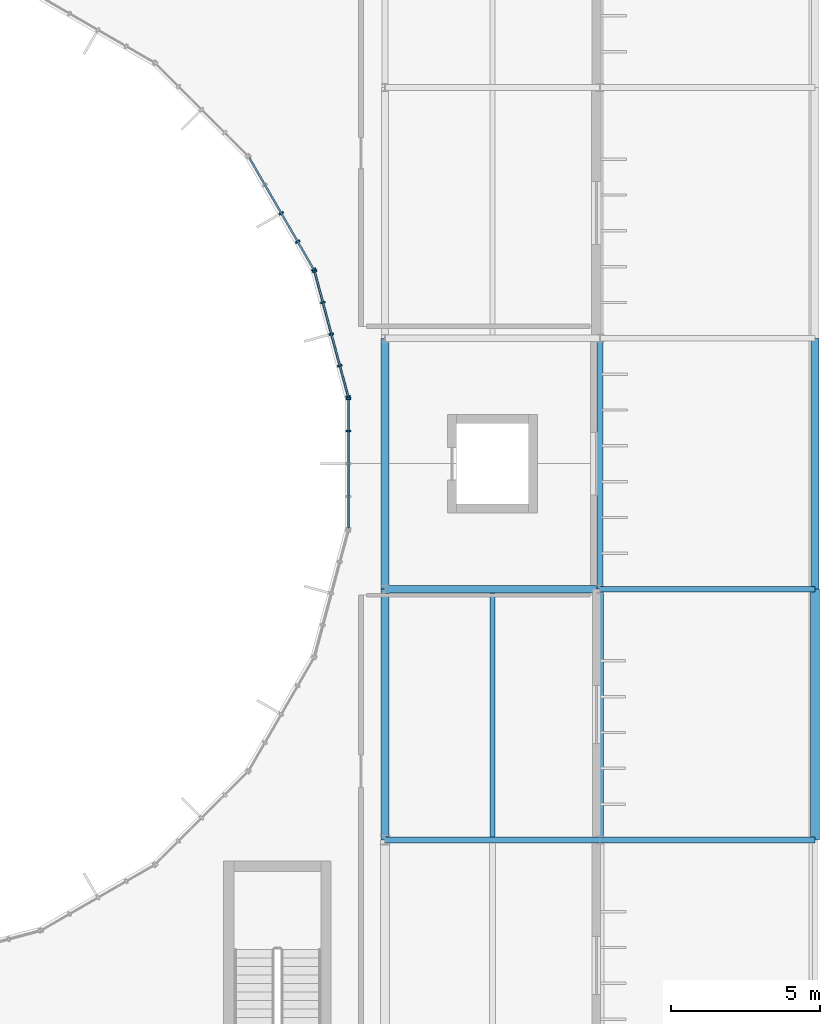
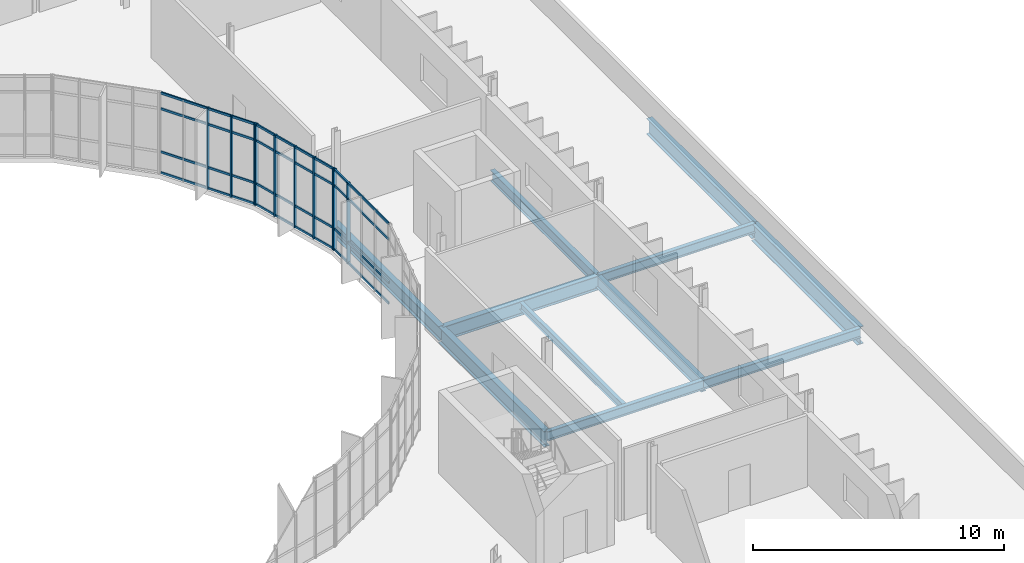
# One storey, part 54 of 99: 22 members, 11 beams, 3 elements without a shape of their own.
"""IFC4 building model written with IfcOpenShell, lengths in metres."""

from ifc_helpers import new_model, si_unit, direction, frame, origin, origin_2d, place, context, subcontext, project, spatial, rectangle, i_section, extrude, material, material_profile, profile_set, type_object, element, aggregate, save


model = new_model("IFC4")

# Units and contexts
model_context = context("Model", 3, precision=1e-05, world=origin(), true_north=direction((0.0, 1.0)))
body_context = subcontext(model_context, "Body", "Model", "MODEL_VIEW")
ifc_project = project(units=[si_unit("LENGTHUNIT", "METRE"), si_unit("AREAUNIT", "SQUARE_METRE"), si_unit("VOLUMEUNIT", "CUBIC_METRE"), si_unit("PLANEANGLEUNIT", "RADIAN"), si_unit("MASSUNIT", "GRAM", prefix="KILO")], contexts=[model_context])

# Site, building, storey
site_placement = place(None, origin())
site = spatial("IfcSite", under=ifc_project, at=site_placement, CompositionType="ELEMENT")
building_placement = place(site_placement, origin())
building = spatial("IfcBuilding", under=site, at=building_placement, Name="Qelthora Terrace Specialist Clinic", CompositionType="ELEMENT")
storey_placement = place(building_placement, frame((0.0, 0.0, 9.0)))
storey = spatial("IfcBuildingStorey", under=building, at=storey_placement, Name="L02", CompositionType="ELEMENT", Elevation=9.0)

# Beams
ifc_material_1 = material(Name="Steel S355", Category="steel")
ifc_material_profile_1 = material_profile(ifc_material_1, i_section(OverallWidth=0.19091796875, OverallDepth=0.4599609375, WebThickness=0.010009765625, FlangeThickness=0.01611328125, FilletRadius=0.012939453125, at=origin_2d()), Name="W460X82")
ifc_profile_set_1 = profile_set([ifc_material_profile_1], Name="Steel S355")
beam_type_1 = type_object("IfcBeamType", Name="BM-W460X82", PredefinedType="BEAM", material=ifc_profile_set_1)
beam_1_placement = place(storey_placement, frame((144.0, 50.39990234375, -0.47998046875), z_axis=(1.0, 0.0, 0.0), x_axis=(0.0, 1.0, 0.0)))
element("IfcBeam", 1, at=beam_1_placement, inside=storey, type_object=beam_type_1, Name="Girder BMX-L02-0629", PredefinedType="BEAM", context=body_context, shape_type="SweptSolid", body=[
    extrude(i_section(OverallWidth=0.19091796875, OverallDepth=0.4599609375, WebThickness=0.010009765625, FlangeThickness=0.01611328125, FilletRadius=0.012939453125, at=origin_2d()), origin(), (0.0, 0.0, 1.0), 7.199951171875),
])
ifc_material_profile_2 = material_profile(ifc_material_1, i_section(OverallWidth=0.2119140625, OverallDepth=0.5439453125, WebThickness=0.01318359375, FlangeThickness=0.021240234375, FilletRadius=0.013916015625, at=origin_2d()), Name="W530X123")
ifc_profile_set_2 = profile_set([ifc_material_profile_2], Name="Steel S355")
beam_type_2 = type_object("IfcBeamType", Name="BM-W530X123", PredefinedType="BEAM", material=ifc_profile_set_2)
beam_2_placement = place(storey_placement, frame((151.199951171875, 58.800048828125, -0.52197265625), z_axis=(0.0, 1.0, 0.0), x_axis=(-1.0, 0.0, 0.0)))
element("IfcBeam", 2, at=beam_2_placement, inside=storey, type_object=beam_type_2, Name="Girder BMY-L02-0905", PredefinedType="BEAM", context=body_context, shape_type="SweptSolid", body=[
    extrude(i_section(OverallWidth=0.2119140625, OverallDepth=0.5439453125, WebThickness=0.01318359375, FlangeThickness=0.021240234375, FilletRadius=0.013916015625, at=origin_2d()), origin(), (0.0, 0.0, 1.0), 8.39990234375),
])
ifc_material_profile_3 = material_profile(ifc_material_1, i_section(OverallWidth=0.22998046875, OverallDepth=0.616943359375, WebThickness=0.01318359375, FlangeThickness=0.022216796875, FilletRadius=0.01611328125, at=origin_2d()), Name="W610X140")
ifc_profile_set_3 = profile_set([ifc_material_profile_3], Name="Steel S355")
beam_type_3 = type_object("IfcBeamType", Name="BM-W610X140", PredefinedType="BEAM", material=ifc_profile_set_3)
beam_3_placement = place(storey_placement, frame((151.199951171875, 50.39990234375, -0.55859375), z_axis=(0.0, 1.0, 0.0), x_axis=(-1.0, 0.0, 0.0)))
element("IfcBeam", 3, at=beam_3_placement, inside=storey, type_object=beam_type_3, Name="Girder BMY-L02-0904", PredefinedType="BEAM", context=body_context, shape_type="SweptSolid", body=[
    extrude(i_section(OverallWidth=0.22998046875, OverallDepth=0.616943359375, WebThickness=0.01318359375, FlangeThickness=0.022216796875, FilletRadius=0.01611328125, at=origin_2d()), origin(), (0.0, 0.0, 1.0), 8.400146484375),
])
ifc_material_profile_4 = material_profile(ifc_material_1, i_section(OverallWidth=0.25390625, OverallDepth=0.68798828125, WebThickness=0.01318359375, FlangeThickness=0.02099609375, FilletRadius=0.01806640625, at=origin_2d()), Name="W690X152")
ifc_profile_set_4 = profile_set([ifc_material_profile_4], Name="Steel S355")
beam_type_4 = type_object("IfcBeamType", Name="BM-W690X152", PredefinedType="BEAM", material=ifc_profile_set_4)
beam_4_placement = place(storey_placement, frame((144.0, 58.800048828125, -0.593994140625), z_axis=(1.0, 0.0, 0.0), x_axis=(0.0, 1.0, 0.0)))
element("IfcBeam", 4, at=beam_4_placement, inside=storey, type_object=beam_type_4, Name="Girder BMX-L02-0646", PredefinedType="BEAM", context=body_context, shape_type="SweptSolid", body=[
    extrude(i_section(OverallWidth=0.25390625, OverallDepth=0.68798828125, WebThickness=0.01318359375, FlangeThickness=0.02099609375, FilletRadius=0.01806640625, at=origin_2d()), origin(), (0.0, 0.0, 1.0), 7.199951171875),
])
ifc_material_profile_5 = material_profile(ifc_material_1, i_section(OverallWidth=0.256103515625, OverallDepth=0.693115234375, WebThickness=0.014404296875, FlangeThickness=0.023681640625, FilletRadius=0.01806640625, at=origin_2d()), Name="W690X170")
ifc_profile_set_5 = profile_set([ifc_material_profile_5], Name="Steel S355")
beam_type_5 = type_object("IfcBeamType", Name="BM-W690X170", PredefinedType="BEAM", material=ifc_profile_set_5)
beam_5_placement = place(storey_placement, frame((144.0, 58.800048828125, -0.596435546875), z_axis=(0.0, 1.0, 0.0), x_axis=(-1.0, 0.0, 0.0)))
element("IfcBeam", 5, at=beam_5_placement, inside=storey, type_object=beam_type_5, Name="Girder BMY-L02-0893", PredefinedType="BEAM", context=body_context, shape_type="SweptSolid", body=[
    extrude(i_section(OverallWidth=0.256103515625, OverallDepth=0.693115234375, WebThickness=0.014404296875, FlangeThickness=0.023681640625, FilletRadius=0.01806640625, at=origin_2d()), origin(), (0.0, 0.0, 1.0), 8.39990234375),
])
ifc_material_profile_6 = material_profile(ifc_material_1, i_section(OverallWidth=0.26806640625, OverallDepth=0.77001953125, WebThickness=0.015625, FlangeThickness=0.025390625, FilletRadius=0.01904296875, at=origin_2d()), Name="W760X196")
ifc_profile_set_6 = profile_set([ifc_material_profile_6], Name="Steel S355")
beam_type_6 = type_object("IfcBeamType", Name="BM-W760X196", PredefinedType="BEAM", material=ifc_profile_set_6)
beam_6_placement = place(storey_placement, frame((144.0, 50.39990234375, -0.635009765625), z_axis=(0.0, 1.0, 0.0), x_axis=(-1.0, 0.0, 0.0)))
element("IfcBeam", 6, at=beam_6_placement, inside=storey, type_object=beam_type_6, Name="Girder BMY-L02-0892", PredefinedType="BEAM", context=body_context, shape_type="SweptSolid", body=[
    extrude(i_section(OverallWidth=0.26806640625, OverallDepth=0.77001953125, WebThickness=0.015625, FlangeThickness=0.025390625, FilletRadius=0.01904296875, at=origin_2d()), origin(), (0.0, 0.0, 1.0), 8.400146484375),
])
beam_7_placement = place(storey_placement, frame((158.39990234375, 58.800048828125, -0.635009765625), z_axis=(0.0, 1.0, 0.0), x_axis=(-1.0, 0.0, 0.0)))
element("IfcBeam", 7, at=beam_7_placement, inside=storey, type_object=beam_type_6, Name="Girder BMY-L02-0912", PredefinedType="BEAM", context=body_context, shape_type="SweptSolid", body=[
    extrude(i_section(OverallWidth=0.26806640625, OverallDepth=0.77001953125, WebThickness=0.015625, FlangeThickness=0.025390625, FilletRadius=0.01904296875, at=origin_2d()), origin(), (0.0, 0.0, 1.0), 8.39990234375),
])
ifc_material_profile_7 = material_profile(ifc_material_1, i_section(OverallWidth=0.2939453125, OverallDepth=0.85107421875, WebThickness=0.01611328125, FlangeThickness=0.02685546875, FilletRadius=0.02001953125, at=origin_2d()), Name="W840X226")
ifc_profile_set_7 = profile_set([ifc_material_profile_7], Name="Steel S355")
beam_type_7 = type_object("IfcBeamType", Name="BM-W840X226", PredefinedType="BEAM", material=ifc_profile_set_7)
beam_8_placement = place(storey_placement, frame((158.39990234375, 50.39990234375, -0.675537109375), z_axis=(0.0, 1.0, 0.0), x_axis=(-1.0, 0.0, 0.0)))
element("IfcBeam", 8, at=beam_8_placement, inside=storey, type_object=beam_type_7, Name="Girder BMY-L02-0911", PredefinedType="BEAM", context=body_context, shape_type="SweptSolid", body=[
    extrude(i_section(OverallWidth=0.2939453125, OverallDepth=0.85107421875, WebThickness=0.01611328125, FlangeThickness=0.02685546875, FilletRadius=0.02001953125, at=origin_2d()), origin(), (0.0, 0.0, 1.0), 8.400146484375),
])

# Curtain wall, members
ifc_material_2 = material(Name="Aluminium anodized bronze", Category="aluminium")
curtain_wall_type = type_object("IfcCurtainWallType", Name="CW-CRTE-UPP", PredefinedType="NOTDEFINED", material=ifc_material_2)
curtain_wall_1_placement = place(storey_placement, origin())
curtain_wall_1 = element("IfcCurtainWall", 9, at=curtain_wall_1_placement, inside=storey, type_object=curtain_wall_type, Name="Curtain wall CW-CE-L02-01", PredefinedType="NOTDEFINED")
ifc_material_profile_8 = material_profile(ifc_material_2, rectangle(XDim=0.06005859375, YDim=0.14990234375, at=origin_2d()), Name="CWM60X150")
ifc_profile_set_8 = profile_set([ifc_material_profile_8], Name="Aluminium anodized bronze")
member_type_1 = type_object("IfcMemberType", Name="CWM-60X150", PredefinedType="MULLION", material=ifc_profile_set_8)
member_1_placement = place(storey_placement, frame((142.76708984375, 65.2431640625, 0.0), z_axis=(0.0, 0.0, 1.0), x_axis=(-0.258819664824, 0.965925660235, 0.0)))
member_1 = element("IfcMember", 10, at=member_1_placement, type_object=member_type_1, Name="CW-CE-L02-01 mullion 1", PredefinedType="MULLION", context=body_context, shape_type="SweptSolid", body=[
    extrude(rectangle(XDim=0.06005859375, YDim=0.14990234375, at=origin_2d()), origin(), (0.0, 0.0, 1.0), 3.945068359375),
])
member_2_placement = place(storey_placement, frame((142.488525390625, 66.282958984375, 0.0), z_axis=(0.0, 0.0, 1.0), x_axis=(-0.258819664824, 0.965925660235, 0.0)))
member_2 = element("IfcMember", 11, at=member_2_placement, type_object=member_type_1, Name="CW-CE-L02-01 mullion 2", PredefinedType="MULLION", context=body_context, shape_type="SweptSolid", body=[
    extrude(rectangle(XDim=0.06005859375, YDim=0.14990234375, at=origin_2d()), origin(), (0.0, 0.0, 1.0), 3.945068359375),
])
member_3_placement = place(storey_placement, frame((142.20458984375, 67.342041015625, 0.0), z_axis=(0.0, 0.0, 1.0), x_axis=(-0.258819664824, 0.965925660235, 0.0)))
member_3 = element("IfcMember", 12, at=member_3_placement, type_object=member_type_1, Name="CW-CE-L02-01 mullion 3", PredefinedType="MULLION", context=body_context, shape_type="SweptSolid", body=[
    extrude(rectangle(XDim=0.06005859375, YDim=0.14990234375, at=origin_2d()), origin(), (0.0, 0.0, 1.0), 3.945068359375),
])
member_4_placement = place(storey_placement, frame((141.9208984375, 68.401123046875, 0.0), z_axis=(0.0, 0.0, 1.0), x_axis=(-0.258819664824, 0.965925660235, 0.0)))
member_4 = element("IfcMember", 13, at=member_4_placement, type_object=member_type_1, Name="CW-CE-L02-01 mullion 4", PredefinedType="MULLION", context=body_context, shape_type="SweptSolid", body=[
    extrude(rectangle(XDim=0.06005859375, YDim=0.14990234375, at=origin_2d()), origin(), (0.0, 0.0, 1.0), 3.945068359375),
])
member_5_placement = place(storey_placement, frame((141.642333984375, 69.44091796875, 0.0), z_axis=(0.0, 0.0, 1.0), x_axis=(-0.258819664824, 0.965925660235, 0.0)))
member_5 = element("IfcMember", 14, at=member_5_placement, type_object=member_type_1, Name="CW-CE-L02-01 mullion 5", PredefinedType="MULLION", context=body_context, shape_type="SweptSolid", body=[
    extrude(rectangle(XDim=0.06005859375, YDim=0.14990234375, at=origin_2d()), origin(), (0.0, 0.0, 1.0), 3.945068359375),
])

curtain_wall_2_placement = place(storey_placement, origin())
curtain_wall_2 = element("IfcCurtainWall", 15, at=curtain_wall_2_placement, inside=storey, type_object=curtain_wall_type, Name="Curtain wall CW-CE-L02-02", PredefinedType="NOTDEFINED")
member_6_placement = place(storey_placement, frame((141.614990234375, 69.50634765625, 0.0), z_axis=(0.0, 0.0, 1.0), x_axis=(-0.500000028915, 0.86602538709, 0.0)))
member_6 = element("IfcMember", 16, at=member_6_placement, type_object=member_type_1, Name="CW-CE-L02-02 mullion 1", PredefinedType="MULLION", context=body_context, shape_type="SweptSolid", body=[
    extrude(rectangle(XDim=0.06005859375, YDim=0.14990234375, at=origin_2d()), origin(), (0.0, 0.0, 1.0), 3.945068359375),
])
member_7_placement = place(storey_placement, frame((141.076904296875, 70.438720703125, 0.0), z_axis=(0.0, 0.0, 1.0), x_axis=(-0.500000028915, 0.86602538709, 0.0)))
member_7 = element("IfcMember", 17, at=member_7_placement, type_object=member_type_1, Name="CW-CE-L02-02 mullion 2", PredefinedType="MULLION", context=body_context, shape_type="SweptSolid", body=[
    extrude(rectangle(XDim=0.06005859375, YDim=0.14990234375, at=origin_2d()), origin(), (0.0, 0.0, 1.0), 3.945068359375),
])
member_8_placement = place(storey_placement, frame((140.528564453125, 71.38818359375, 0.0), z_axis=(0.0, 0.0, 1.0), x_axis=(-0.500000028915, 0.86602538709, 0.0)))
member_8 = element("IfcMember", 18, at=member_8_placement, type_object=member_type_1, Name="CW-CE-L02-02 mullion 3", PredefinedType="MULLION", context=body_context, shape_type="SweptSolid", body=[
    extrude(rectangle(XDim=0.06005859375, YDim=0.14990234375, at=origin_2d()), origin(), (0.0, 0.0, 1.0), 3.945068359375),
])

curtain_wall_3_placement = place(storey_placement, origin())
curtain_wall_3 = element("IfcCurtainWall", 19, at=curtain_wall_3_placement, inside=storey, type_object=curtain_wall_type, Name="Curtain wall CW-CE-L02-24", PredefinedType="NOTDEFINED")
member_9_placement = place(storey_placement, frame((142.7763671875, 64.096435546875, 0.0), z_axis=(0.0, 0.0, 1.0), x_axis=(0.0, 1.0, 0.0)))
member_9 = element("IfcMember", 20, at=member_9_placement, type_object=member_type_1, Name="CW-CE-L02-24 mullion 4", PredefinedType="MULLION", context=body_context, shape_type="SweptSolid", body=[
    extrude(rectangle(XDim=0.06005859375, YDim=0.14990234375, at=origin_2d()), origin(), (0.0, 0.0, 1.0), 3.945068359375),
])
member_10_placement = place(storey_placement, frame((142.7763671875, 65.1728515625, 0.0), z_axis=(0.0, 0.0, 1.0), x_axis=(0.0, 1.0, 0.0)))
member_10 = element("IfcMember", 21, at=member_10_placement, type_object=member_type_1, Name="CW-CE-L02-24 mullion 5", PredefinedType="MULLION", context=body_context, shape_type="SweptSolid", body=[
    extrude(rectangle(XDim=0.06005859375, YDim=0.14990234375, at=origin_2d()), origin(), (0.0, 0.0, 1.0), 3.945068359375),
])

# Member
ifc_material_profile_9 = material_profile(ifc_material_2, rectangle(XDim=0.06005859375, YDim=0.110107421875, at=origin_2d()), Name="CWT60X110")
ifc_profile_set_9 = profile_set([ifc_material_profile_9], Name="Aluminium anodized bronze")
member_type_2 = type_object("IfcMemberType", Name="CWT-60X110", PredefinedType="USERDEFINED", material=ifc_profile_set_9)
member_11_placement = place(storey_placement, frame((142.76171875, 65.262451171875, 0.0400390625), z_axis=(-0.25879182601, 0.965933119212, 0.0), x_axis=(-0.965933119212, -0.25879182601, 0.0)))
member_11 = element("IfcMember", 22, at=member_11_placement, type_object=member_type_2, Name="CW-CE-L02-01 transom 1", ObjectType="TRANSOM", PredefinedType="USERDEFINED", context=body_context, shape_type="SweptSolid", body=[
    extrude(rectangle(XDim=0.06005859375, YDim=0.110107421875, at=origin_2d()), origin(), (0.0, 0.0, 1.0), 4.3056640625),
])

member_12_placement = place(storey_placement, frame((142.76171875, 65.262451171875, 1.050048828125), z_axis=(-0.25879182601, 0.965933119212, 0.0), x_axis=(-0.965933119212, -0.25879182601, 0.0)))
member_12 = element("IfcMember", 23, at=member_12_placement, type_object=member_type_2, Name="CW-CE-L02-01 transom 2", ObjectType="TRANSOM", PredefinedType="USERDEFINED", context=body_context, shape_type="SweptSolid", body=[
    extrude(rectangle(XDim=0.06005859375, YDim=0.110107421875, at=origin_2d()), origin(), (0.0, 0.0, 1.0), 4.3056640625),
])

member_13_placement = place(storey_placement, frame((142.76171875, 65.262451171875, 3.14501953125), z_axis=(-0.25879182601, 0.965933119212, 0.0), x_axis=(-0.965933119212, -0.25879182601, 0.0)))
member_13 = element("IfcMember", 24, at=member_13_placement, type_object=member_type_2, Name="CW-CE-L02-01 transom 3", ObjectType="TRANSOM", PredefinedType="USERDEFINED", context=body_context, shape_type="SweptSolid", body=[
    extrude(rectangle(XDim=0.06005859375, YDim=0.110107421875, at=origin_2d()), origin(), (0.0, 0.0, 1.0), 4.3056640625),
])

member_14_placement = place(storey_placement, frame((142.76171875, 65.262451171875, 3.905029296875), z_axis=(-0.25879182601, 0.965933119212, 0.0), x_axis=(-0.965933119212, -0.25879182601, 0.0)))
member_14 = element("IfcMember", 25, at=member_14_placement, type_object=member_type_2, Name="CW-CE-L02-01 transom 4", ObjectType="TRANSOM", PredefinedType="USERDEFINED", context=body_context, shape_type="SweptSolid", body=[
    extrude(rectangle(XDim=0.06005859375, YDim=0.110107421875, at=origin_2d()), origin(), (0.0, 0.0, 1.0), 4.3056640625),
])

aggregate(curtain_wall_1, [member_1, member_2, member_3, member_4, member_5, member_11, member_12, member_13, member_14])

member_15_placement = place(storey_placement, frame((141.60498046875, 69.523681640625, 0.0400390625), z_axis=(-0.500005500391, 0.866022228109, 0.0), x_axis=(-0.866022228109, -0.500005500391, 0.0)))
member_15 = element("IfcMember", 26, at=member_15_placement, type_object=member_type_2, Name="CW-CE-L02-02 transom 1", ObjectType="TRANSOM", PredefinedType="USERDEFINED", context=body_context, shape_type="SweptSolid", body=[
    extrude(rectangle(XDim=0.06005859375, YDim=0.110107421875, at=origin_2d()), origin(), (0.0, 0.0, 1.0), 4.3056640625),
])

member_16_placement = place(storey_placement, frame((141.60498046875, 69.523681640625, 1.050048828125), z_axis=(-0.500005500391, 0.866022228109, 0.0), x_axis=(-0.866022228109, -0.500005500391, 0.0)))
member_16 = element("IfcMember", 27, at=member_16_placement, type_object=member_type_2, Name="CW-CE-L02-02 transom 2", ObjectType="TRANSOM", PredefinedType="USERDEFINED", context=body_context, shape_type="SweptSolid", body=[
    extrude(rectangle(XDim=0.06005859375, YDim=0.110107421875, at=origin_2d()), origin(), (0.0, 0.0, 1.0), 4.3056640625),
])

member_17_placement = place(storey_placement, frame((141.60498046875, 69.523681640625, 3.14501953125), z_axis=(-0.500005500391, 0.866022228109, 0.0), x_axis=(-0.866022228109, -0.500005500391, 0.0)))
member_17 = element("IfcMember", 28, at=member_17_placement, type_object=member_type_2, Name="CW-CE-L02-02 transom 3", ObjectType="TRANSOM", PredefinedType="USERDEFINED", context=body_context, shape_type="SweptSolid", body=[
    extrude(rectangle(XDim=0.06005859375, YDim=0.110107421875, at=origin_2d()), origin(), (0.0, 0.0, 1.0), 4.3056640625),
])

member_18_placement = place(storey_placement, frame((141.60498046875, 69.523681640625, 3.905029296875), z_axis=(-0.500005500391, 0.866022228109, 0.0), x_axis=(-0.866022228109, -0.500005500391, 0.0)))
member_18 = element("IfcMember", 29, at=member_18_placement, type_object=member_type_2, Name="CW-CE-L02-02 transom 4", ObjectType="TRANSOM", PredefinedType="USERDEFINED", context=body_context, shape_type="SweptSolid", body=[
    extrude(rectangle(XDim=0.06005859375, YDim=0.110107421875, at=origin_2d()), origin(), (0.0, 0.0, 1.0), 4.3056640625),
])

aggregate(curtain_wall_2, [member_6, member_7, member_8, member_15, member_16, member_17, member_18])

member_19_placement = place(storey_placement, frame((142.7763671875, 60.84716796875, 0.0400390625), z_axis=(0.0, 1.0, 0.0), x_axis=(-1.0, 0.0, 0.0)))
member_19 = element("IfcMember", 30, at=member_19_placement, type_object=member_type_2, Name="CW-CE-L02-24 transom 1", ObjectType="TRANSOM", PredefinedType="USERDEFINED", context=body_context, shape_type="SweptSolid", body=[
    extrude(rectangle(XDim=0.06005859375, YDim=0.110107421875, at=origin_2d()), origin(), (0.0, 0.0, 1.0), 4.3056640625),
])

member_20_placement = place(storey_placement, frame((142.7763671875, 60.84716796875, 1.050048828125), z_axis=(0.0, 1.0, 0.0), x_axis=(-1.0, 0.0, 0.0)))
member_20 = element("IfcMember", 31, at=member_20_placement, type_object=member_type_2, Name="CW-CE-L02-24 transom 2", ObjectType="TRANSOM", PredefinedType="USERDEFINED", context=body_context, shape_type="SweptSolid", body=[
    extrude(rectangle(XDim=0.06005859375, YDim=0.110107421875, at=origin_2d()), origin(), (0.0, 0.0, 1.0), 4.3056640625),
])

member_21_placement = place(storey_placement, frame((142.7763671875, 60.84716796875, 3.14501953125), z_axis=(0.0, 1.0, 0.0), x_axis=(-1.0, 0.0, 0.0)))
member_21 = element("IfcMember", 32, at=member_21_placement, type_object=member_type_2, Name="CW-CE-L02-24 transom 3", ObjectType="TRANSOM", PredefinedType="USERDEFINED", context=body_context, shape_type="SweptSolid", body=[
    extrude(rectangle(XDim=0.06005859375, YDim=0.110107421875, at=origin_2d()), origin(), (0.0, 0.0, 1.0), 4.3056640625),
])

member_22_placement = place(storey_placement, frame((142.7763671875, 60.84716796875, 3.905029296875), z_axis=(0.0, 1.0, 0.0), x_axis=(-1.0, 0.0, 0.0)))
member_22 = element("IfcMember", 33, at=member_22_placement, type_object=member_type_2, Name="CW-CE-L02-24 transom 4", ObjectType="TRANSOM", PredefinedType="USERDEFINED", context=body_context, shape_type="SweptSolid", body=[
    extrude(rectangle(XDim=0.06005859375, YDim=0.110107421875, at=origin_2d()), origin(), (0.0, 0.0, 1.0), 4.3056640625),
])

aggregate(curtain_wall_3, [member_9, member_10, member_19, member_20, member_21, member_22])

# Beams
ifc_material_profile_10 = material_profile(ifc_material_1, i_section(OverallWidth=0.172119140625, OverallDepth=0.35791015625, WebThickness=0.0078125, FlangeThickness=0.01318359375, FilletRadius=0.010986328125, at=origin_2d()), Name="W360X57")
ifc_profile_set_10 = profile_set([ifc_material_profile_10], Name="Steel S355")
beam_type_8 = type_object("IfcBeamType", Name="JST-W360X57", PredefinedType="JOIST", material=ifc_profile_set_10)
beam_9_placement = place(storey_placement, frame((147.60009765625, 50.49560546875, -0.428955078125), z_axis=(0.0, 1.0, 0.0), x_axis=(-1.0, 0.0, 0.0)))
element("IfcBeam", 34, at=beam_9_placement, inside=storey, type_object=beam_type_8, Name="Composite floor joist JST-L02-0212", PredefinedType="JOIST", context=body_context, shape_type="SweptSolid", body=[
    extrude(i_section(OverallWidth=0.172119140625, OverallDepth=0.35791015625, WebThickness=0.0078125, FlangeThickness=0.01318359375, FilletRadius=0.010986328125, at=origin_2d()), origin(), (0.0, 0.0, 1.0), 8.177490234375),
])
ifc_material_profile_11 = material_profile(ifc_material_1, i_section(OverallWidth=0.19091796875, OverallDepth=0.4599609375, WebThickness=0.010009765625, FlangeThickness=0.01611328125, FilletRadius=0.012939453125, at=origin_2d()), Name="W460X82")
ifc_profile_set_11 = profile_set([ifc_material_profile_11], Name="Steel S355")
beam_type_9 = type_object("IfcBeamType", Name="SPD-W460X82", PredefinedType="SPANDREL", material=ifc_profile_set_11)
for number, where, z_axis, x_axis, name in (
    (35, (151.199951171875, 50.39990234375, -0.47998046875), (1.0, 0.0, 0.0), (0.0, 1.0, 0.0), "Girder BMX-L02-0630"),
    (36, (151.199951171875, 58.800048828125, -0.47998046875), (1.0, 0.0, 0.0), (0.0, 1.0, 0.0), "Girder BMX-L02-0647"),
):
    element("IfcBeam", number, at=place(storey_placement, frame(where, z_axis=z_axis, x_axis=x_axis)), inside=storey, type_object=beam_type_9, Name=name, PredefinedType="SPANDREL", context=body_context, shape_type="SweptSolid", body=[
        extrude(i_section(OverallWidth=0.19091796875, OverallDepth=0.4599609375, WebThickness=0.010009765625, FlangeThickness=0.01611328125, FilletRadius=0.012939453125, at=origin_2d()), origin(), (0.0, 0.0, 1.0), 7.199951171875),
    ])

save(model, "model.ifc")
